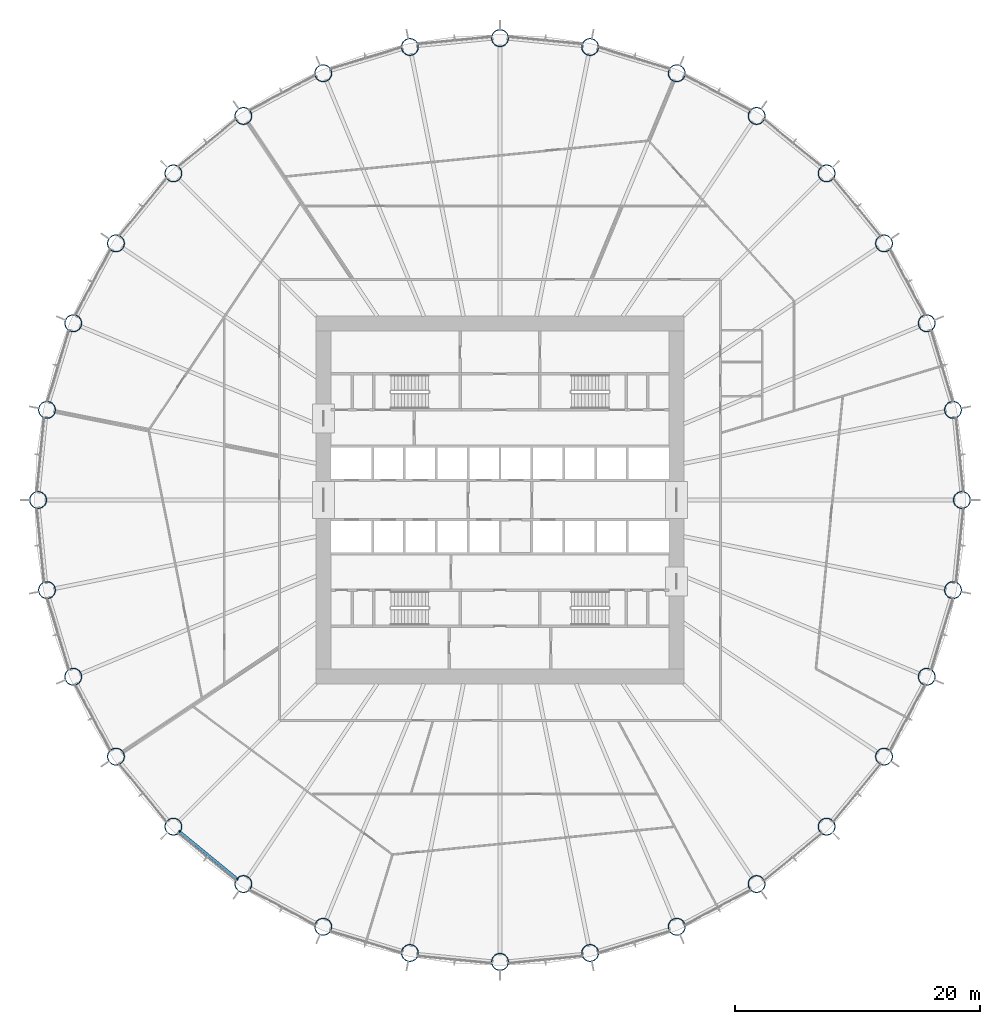
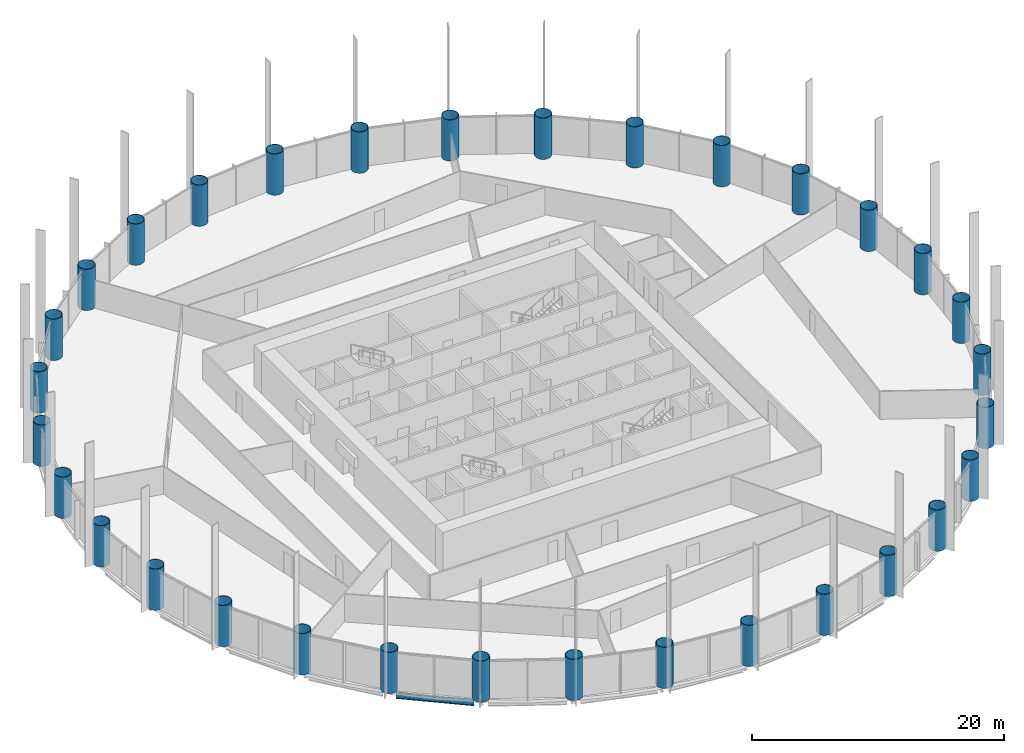
# One storey, part 1 of 14: 32 columns, 1 beam.
"""IFC4 building model written with IfcOpenShell, lengths in metres."""

import ifcopenshell
import ifcopenshell.guid

model = None  # the IFC model being written
_history = None  # IfcOwnerHistory: only IFC2X3 demands one
_inside = {}  # id of a spatial element -> (the spatial element, [elements in it])
_under = {}  # id of a project, library or spatial element -> (it, [spatial elements below it])
_declared = {}  # id of a project -> (the project, [libraries it declares])
_typed = {}  # id of a type object -> (the type object, [elements of that type])
_made_of = {}  # id of a material, layer set ... -> (it, [elements and type objects made of it])


def new_model(schema):
    """Start an empty IFC model of exactly this schema.

    Asked for "IFC4X3", IfcOpenShell would pick the latest addendum, in which some entities
    have other attributes; the version numbers below select the first issue.
    IFC2X3 requires an IfcOwnerHistory on every rooted entity: one is made here for all.
    """
    global model, _history
    if schema == "IFC4X3":
        model = ifcopenshell.file(schema_version=(4, 3, 0, 0))
    else:
        model = ifcopenshell.file(schema=schema)
    _inside.clear()
    _under.clear()
    _declared.clear()
    _typed.clear()
    _made_of.clear()
    _history = None
    if model.schema == "IFC2X3":
        org = make("IfcOrganization", Name="unknown")
        user = make(
            "IfcPersonAndOrganization",
            ThePerson=make("IfcPerson", FamilyName="unknown"),
            TheOrganization=org,
        )
        app = make(
            "IfcApplication",
            ApplicationDeveloper=org,
            Version="unknown",
            ApplicationFullName="unknown",
            ApplicationIdentifier="unknown",
        )
        _history = make(
            "IfcOwnerHistory",
            OwningUser=user,
            OwningApplication=app,
            ChangeAction="ADDED",
            CreationDate=0,
        )
    return model


def make(cls, **values):
    """One entity of the class cls with the attributes given. An attribute that is None is left unset."""
    return model.create_entity(
        cls, **{name: value for name, value in values.items() if value is not None}
    )


def rooted(cls, **values):
    """An entity with a GlobalId (a new one), such as an element, a storey or a relation."""
    return make(cls, GlobalId=ifcopenshell.guid.new(), OwnerHistory=_history, **values)


def si_unit(unit_type, name, prefix=None):
    """IfcSIUnit, for example si_unit("LENGTHUNIT", "METRE", prefix="MILLI")."""
    return make("IfcSIUnit", UnitType=unit_type, Prefix=prefix, Name=name)


def assignment(units):
    """IfcUnitAssignment: the units of a project."""
    return None if units is None else make("IfcUnitAssignment", Units=units)


def point(xyz):
    """IfcCartesianPoint."""
    return None if xyz is None else make("IfcCartesianPoint", Coordinates=xyz)


def direction(xyz):
    """IfcDirection."""
    return None if xyz is None else make("IfcDirection", DirectionRatios=xyz)


def frame(location, z_axis=None, x_axis=None):
    """IfcAxis2Placement3D, a coordinate frame: its origin and axes. An axis left out is left unset."""
    return make(
        "IfcAxis2Placement3D",
        Location=point(location),
        Axis=direction(z_axis),
        RefDirection=direction(x_axis),
    )


def frame_2d(location, x_axis=None):
    """IfcAxis2Placement2D, a coordinate frame in the plane: its origin and x axis."""
    return make(
        "IfcAxis2Placement2D", Location=point(location), RefDirection=direction(x_axis)
    )


def origin():
    """The frame at (0, 0, 0) with its axes left unset."""
    return frame((0.0, 0.0, 0.0))


def origin_2d():
    """The frame at (0, 0) in the plane with its x axis left unset."""
    return frame_2d((0.0, 0.0))


def place(relative_to, where):
    """IfcLocalPlacement: puts the frame where relative to a parent placement (None: the world)."""
    return make(
        "IfcLocalPlacement", PlacementRelTo=relative_to, RelativePlacement=where
    )


def context(
    kind, dimensions, precision=None, world=None, true_north=None, identifier=None
):
    """IfcGeometricRepresentationContext, for example the 3D "Model" context."""
    return make(
        "IfcGeometricRepresentationContext",
        ContextIdentifier=identifier,
        ContextType=kind,
        CoordinateSpaceDimension=dimensions,
        Precision=precision,
        WorldCoordinateSystem=world,
        TrueNorth=true_north,
    )


def subcontext(parent, identifier, kind, view, scale=None):
    """IfcGeometricRepresentationSubContext, for example "Body" below "Model"."""
    return make(
        "IfcGeometricRepresentationSubContext",
        ContextIdentifier=identifier,
        ContextType=kind,
        ParentContext=parent,
        TargetScale=scale,
        TargetView=view,
    )


def project(units=None, contexts=None):
    """IfcProject with its units and contexts."""
    return rooted(
        "IfcProject",
        Name="project",
        RepresentationContexts=contexts,
        UnitsInContext=assignment(units),
    )


def spatial(cls, under=None, at=None, **own):
    """A site, building, storey or space (cls), placed at a placement, below another one or the project."""
    s = rooted(cls, ObjectPlacement=at, **own)
    if under is not None:
        _under.setdefault(under.id(), (under, []))[1].append(s)
    return s


def profile(cls, at=None, kind="AREA", **sizes):
    """A parametric profile (cls). Its sizes go by their IFC names, for example OverallWidth=200.0."""
    return make(cls, ProfileType=kind, Position=at, **sizes)


def hollow_circle(**sizes):
    """IfcCircleHollowProfileDef."""
    return profile("IfcCircleHollowProfileDef", **sizes)


def i_section(**sizes):
    """IfcIShapeProfileDef."""
    return profile("IfcIShapeProfileDef", **sizes)


def extrude(swept, where, along, depth):
    """IfcExtrudedAreaSolid: the profile swept, set in the frame where, extruded along a direction by depth."""
    return make(
        "IfcExtrudedAreaSolid",
        SweptArea=swept,
        Position=where,
        ExtrudedDirection=direction(along),
        Depth=depth,
    )


def shape(context_of_items, identifier, shape_type, items):
    """IfcShapeRepresentation: the items that make up one representation, for example the "Body"."""
    return make(
        "IfcShapeRepresentation",
        ContextOfItems=context_of_items,
        RepresentationIdentifier=identifier,
        RepresentationType=shape_type,
        Items=items,
    )


def material(Name=None, Category=None):
    """IfcMaterial."""
    return make("IfcMaterial", Name=Name, Category=Category)


def material_profile(
    of_material, cross_section, Name=None, Category=None, Priority=None
):
    """IfcMaterialProfile: a cross section and its material."""
    return make(
        "IfcMaterialProfile",
        Name=Name,
        Material=of_material,
        Profile=cross_section,
        Priority=Priority,
        Category=Category,
    )


def profile_set(profiles, Name=None, composite=None):
    """IfcMaterialProfileSet."""
    return make(
        "IfcMaterialProfileSet",
        Name=Name,
        MaterialProfiles=profiles,
        CompositeProfile=composite,
    )


def made_of(thing, what):
    """Note that an element or type object is made of a material, layer set ...; save() writes the relation."""
    if what is not None:
        _made_of.setdefault(what.id(), (what, []))[1].append(thing)
    return thing


def type_object(cls, material=None, **own):
    """A type object (cls), such as IfcWallType, which elements share."""
    return made_of(rooted(cls, **own), material)


def element(
    cls,
    number,
    at=None,
    inside=None,
    cuts=None,
    type_object=None,
    material=None,
    context=None,
    identifier="Body",
    shape_type=None,
    held_by="IfcProductDefinitionShape",
    body=None,
    shapes=None,
    **own,
):
    """One element of the class cls, such as IfcWall. Its Tag is "e" and its number.

    at: its placement. inside: the storey or other place that contains it. cuts: it is an
    opening in that element (IfcRelVoidsElement). A single representation is given by context,
    identifier, shape_type and body (its items); several are given by shapes. held_by: the class
    of the entity that holds the representations. save() writes the other relations.
    """
    e = rooted(cls, Tag="e%d" % number, ObjectPlacement=at, **own)
    if body is not None:
        shapes = [shape(context, identifier, shape_type, body)]
    if shapes is not None:
        e.Representation = make(held_by, Representations=shapes)
    if inside is not None:
        _inside.setdefault(inside.id(), (inside, []))[1].append(e)
    if cuts is not None:
        rooted(
            "IfcRelVoidsElement", RelatingBuildingElement=cuts, RelatedOpeningElement=e
        )
    if type_object is not None:
        _typed.setdefault(type_object.id(), (type_object, []))[1].append(e)
    return made_of(e, material)


def aggregate(whole, parts):
    """IfcRelAggregates: a whole, such as a stair, and the parts it consists of."""
    return rooted("IfcRelAggregates", RelatingObject=whole, RelatedObjects=parts)


def save(model, path):
    """Write the relations noted so far, then the file.

    IfcRelAggregates (storeys below a building ...), IfcRelContainedInSpatialStructure (elements
    in a storey), IfcRelDefinesByType, IfcRelAssociatesMaterial and IfcRelDeclares: one each for
    every whole, place, type object, material and project.
    """
    for whole, parts in _under.values():
        aggregate(whole, parts)
    for where, things in _inside.values():
        rooted(
            "IfcRelContainedInSpatialStructure",
            RelatedElements=things,
            RelatingStructure=where,
        )
    for kind, things in _typed.values():
        rooted("IfcRelDefinesByType", RelatedObjects=things, RelatingType=kind)
    for what, things in _made_of.values():
        rooted("IfcRelAssociatesMaterial", RelatedObjects=things, RelatingMaterial=what)
    for by, libraries in _declared.values():
        rooted("IfcRelDeclares", RelatingContext=by, RelatedDefinitions=libraries)
    model.write(path)


model = new_model("IFC4")

# Units and contexts
model_context = context("Model", 3, precision=1e-05, world=origin(), true_north=direction((0.0, 1.0)))
body_context = subcontext(model_context, "Body", "Model", "MODEL_VIEW")
ifc_project = project(units=[si_unit("LENGTHUNIT", "METRE"), si_unit("AREAUNIT", "SQUARE_METRE"), si_unit("VOLUMEUNIT", "CUBIC_METRE"), si_unit("PLANEANGLEUNIT", "RADIAN"), si_unit("MASSUNIT", "GRAM", prefix="KILO")], contexts=[model_context])

# Site, building, storey
site_placement = place(None, origin())
site = spatial("IfcSite", under=ifc_project, at=site_placement, CompositionType="ELEMENT")
building_placement = place(site_placement, origin())
building = spatial("IfcBuilding", under=site, at=building_placement, Name="Corvane Civic Tower", CompositionType="ELEMENT")
storey_placement = place(building_placement, frame((0.0, 0.0, 53.0)))
storey = spatial("IfcBuildingStorey", under=building, at=storey_placement, Name="L11", CompositionType="ELEMENT", Elevation=53.0)

# Columns
ifc_material_1 = material(Name="Steel ASTM A572 Gr 50", Category="steel")
ifc_material_profile_1 = material_profile(ifc_material_1, hollow_circle(Radius=0.699951171875, WallThickness=0.0400390625, at=origin_2d()), Name="CHS1400X40")
ifc_profile_set_1 = profile_set([ifc_material_profile_1], Name="Steel ASTM A572 Gr 50")
column_type = type_object("IfcColumnType", Name="COMPOSITE COLUMN CHS1400X40", PredefinedType="COLUMN", material=ifc_profile_set_1)
for number, where, z_axis, x_axis, name in (
    (1, (0.0, 37.699951171875, 0.0), (0.0, 0.0, 1.0), (1.0, 0.0, 0.0), "COL-L11-A01"),
    (2, (7.35498046875, 36.9755859375, 0.0), (0.0, 0.0, 1.0), (1.0, 0.0, 0.0), "COL-L11-A02"),
    (3, (14.42724609375, 34.830322265625, 0.0), (0.0, 0.0, 1.0), (1.0, 0.0, 0.0), "COL-L11-A03"),
    (4, (20.945068359375, 31.346435546875, 0.0), (0.0, 0.0, 1.0), (1.0, 0.0, 0.0), "COL-L11-A04"),
    (5, (26.657958984375, 26.657958984375, 0.0), (0.0, 0.0, 1.0), (1.0, 0.0, 0.0), "COL-L11-A05"),
    (6, (31.346435546875, 20.945068359375, 0.0), (0.0, 0.0, 1.0), (1.0, 0.0, 0.0), "COL-L11-A06"),
    (7, (34.830322265625, 14.42724609375, 0.0), (0.0, 0.0, 1.0), (1.0, 0.0, 0.0), "COL-L11-A07"),
    (8, (36.9755859375, 7.35498046875, 0.0), (0.0, 0.0, 1.0), (1.0, 0.0, 0.0), "COL-L11-A08"),
    (9, (37.699951171875, 0.0, 0.0), (0.0, 0.0, 1.0), (1.0, 0.0, 0.0), "COL-L11-A09"),
    (10, (36.9755859375, -7.35498046875, 0.0), (0.0, 0.0, 1.0), (1.0, 0.0, 0.0), "COL-L11-A10"),
    (11, (34.830322265625, -14.42724609375, 0.0), (0.0, 0.0, 1.0), (1.0, 0.0, 0.0), "COL-L11-A11"),
    (12, (31.346435546875, -20.945068359375, 0.0), (0.0, 0.0, 1.0), (1.0, 0.0, 0.0), "COL-L11-A12"),
    (13, (26.657958984375, -26.657958984375, 0.0), (0.0, 0.0, 1.0), (1.0, 0.0, 0.0), "COL-L11-A13"),
    (14, (20.945068359375, -31.346435546875, 0.0), (0.0, 0.0, 1.0), (1.0, 0.0, 0.0), "COL-L11-A14"),
    (15, (14.42724609375, -34.830322265625, 0.0), (0.0, 0.0, 1.0), (1.0, 0.0, 0.0), "COL-L11-A15"),
    (16, (7.35498046875, -36.9755859375, 0.0), (0.0, 0.0, 1.0), (1.0, 0.0, 0.0), "COL-L11-A16"),
    (17, (0.0, -37.699951171875, 0.0), (0.0, 0.0, 1.0), (1.0, 0.0, 0.0), "COL-L11-A17"),
    (18, (-7.35498046875, -36.9755859375, 0.0), (0.0, 0.0, 1.0), (1.0, 0.0, 0.0), "COL-L11-A18"),
    (19, (-14.42724609375, -34.830322265625, 0.0), (0.0, 0.0, 1.0), (1.0, 0.0, 0.0), "COL-L11-A19"),
    (20, (-20.945068359375, -31.346435546875, 0.0), (0.0, 0.0, 1.0), (1.0, 0.0, 0.0), "COL-L11-A20"),
    (21, (-26.657958984375, -26.657958984375, 0.0), (0.0, 0.0, 1.0), (1.0, 0.0, 0.0), "COL-L11-A21"),
    (22, (-31.346435546875, -20.945068359375, 0.0), (0.0, 0.0, 1.0), (1.0, 0.0, 0.0), "COL-L11-A22"),
    (23, (-34.830322265625, -14.42724609375, 0.0), (0.0, 0.0, 1.0), (1.0, 0.0, 0.0), "COL-L11-A23"),
    (24, (-36.9755859375, -7.35498046875, 0.0), (0.0, 0.0, 1.0), (1.0, 0.0, 0.0), "COL-L11-A24"),
    (25, (-37.699951171875, 0.0, 0.0), (0.0, 0.0, 1.0), (1.0, 0.0, 0.0), "COL-L11-A25"),
    (26, (-36.9755859375, 7.35498046875, 0.0), (0.0, 0.0, 1.0), (1.0, 0.0, 0.0), "COL-L11-A26"),
    (27, (-34.830322265625, 14.42724609375, 0.0), (0.0, 0.0, 1.0), (1.0, 0.0, 0.0), "COL-L11-A27"),
    (28, (-31.346435546875, 20.945068359375, 0.0), (0.0, 0.0, 1.0), (1.0, 0.0, 0.0), "COL-L11-A28"),
    (29, (-26.657958984375, 26.657958984375, 0.0), (0.0, 0.0, 1.0), (1.0, 0.0, 0.0), "COL-L11-A29"),
    (30, (-20.945068359375, 31.346435546875, 0.0), (0.0, 0.0, 1.0), (1.0, 0.0, 0.0), "COL-L11-A30"),
    (31, (-14.42724609375, 34.830322265625, 0.0), (0.0, 0.0, 1.0), (1.0, 0.0, 0.0), "COL-L11-A31"),
    (32, (-7.35498046875, 36.9755859375, 0.0), (0.0, 0.0, 1.0), (1.0, 0.0, 0.0), "COL-L11-A32"),
):
    element("IfcColumn", number, at=place(storey_placement, frame(where, z_axis=z_axis, x_axis=x_axis)), inside=storey, type_object=column_type, Name=name, PredefinedType="COLUMN", context=body_context, shape_type="SweptSolid", body=[
        extrude(hollow_circle(Radius=0.699951171875, WallThickness=0.0400390625, at=origin_2d()), origin(), (0.0, 0.0, 1.0), 4.0),
    ])

# Beam
ifc_material_2 = material(Name="Steel ASTM A992 Gr 50", Category="steel")
ifc_material_profile_2 = material_profile(ifc_material_2, i_section(OverallWidth=0.209228515625, OverallDepth=0.533447265625, WebThickness=0.01025390625, FlangeThickness=0.015625, at=origin_2d()), Name="W21X62")
ifc_profile_set_2 = profile_set([ifc_material_profile_2], Name="Steel ASTM A992 Gr 50")
beam_type = type_object("IfcBeamType", Name="EDGE BEAM W21X62", PredefinedType="BEAM", material=ifc_profile_set_2)
beam_placement = place(storey_placement, frame((-21.3701171875, -30.99755859375, -0.566650390625), z_axis=(-0.773015785286, 0.634386787141, 0.0), x_axis=(-0.634386787141, -0.773015785286, 0.0)))
element("IfcBeam", 33, at=beam_placement, inside=storey, type_object=beam_type, Name="BM-L11-E20", PredefinedType="BEAM", context=body_context, shape_type="SweptSolid", body=[
    extrude(i_section(OverallWidth=0.209228515625, OverallDepth=0.533447265625, WebThickness=0.01025390625, FlangeThickness=0.015625, at=origin_2d()), origin(), (0.0, 0.0, 1.0), 6.290771484375),
])

save(model, "model.ifc")
